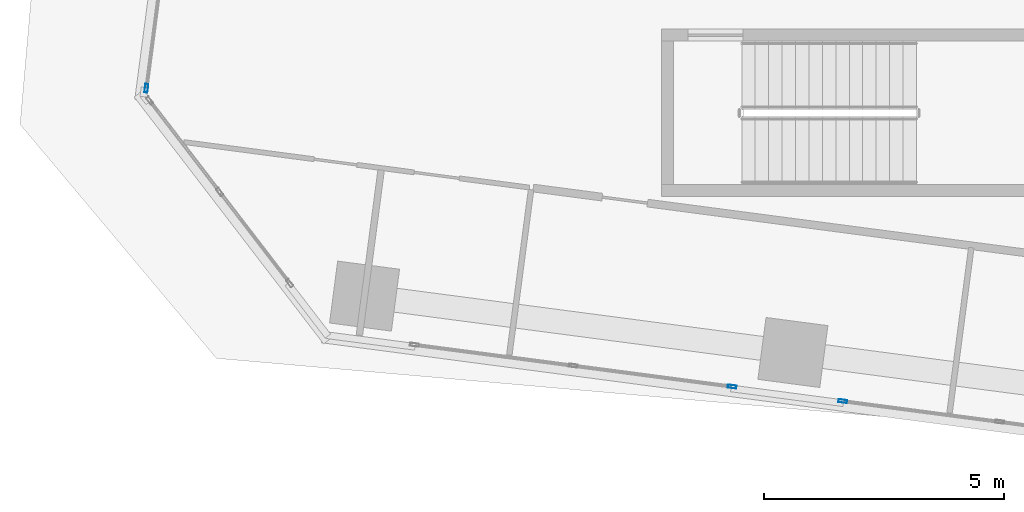
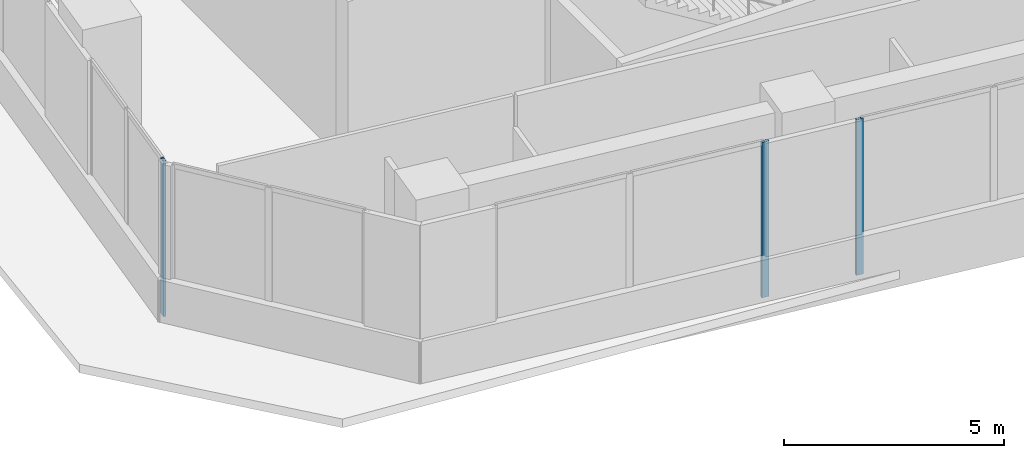
# One storey, part 3 of 24: 3 members, 3 elements without a shape of their own.
"""IFC4 building model written with IfcOpenShell, lengths in metres."""

from ifc_helpers import new_model, si_unit, direction, frame, origin, origin_2d, place, context, subcontext, project, spatial, hollow_rectangle, extrude, source, transform, mapped, material, material_profile, profile_set, type_object, element, aggregate, save


model = new_model("IFC4")

# Units and contexts
model_context = context("Model", 3, precision=1e-05, world=origin(), true_north=direction((0.0, 1.0)))
body_context = subcontext(model_context, "Body", "Model", "MODEL_VIEW")
ifc_project = project(units=[si_unit("LENGTHUNIT", "METRE"), si_unit("AREAUNIT", "SQUARE_METRE"), si_unit("VOLUMEUNIT", "CUBIC_METRE"), si_unit("PLANEANGLEUNIT", "RADIAN"), si_unit("MASSUNIT", "GRAM", prefix="KILO")], contexts=[model_context])

# Site, building, storey
site_placement = place(None, origin())
site = spatial("IfcSite", under=ifc_project, at=site_placement, CompositionType="ELEMENT")
building_placement = place(site_placement, origin())
building = spatial("IfcBuilding", under=site, at=building_placement, Name="Torre Montelarca", CompositionType="ELEMENT")
storey_placement = place(building_placement, frame((0.0, 0.0, 61.60009765625)))
storey = spatial("IfcBuildingStorey", under=building, at=storey_placement, Name="L13", CompositionType="ELEMENT", Elevation=61.60009765625)

# Curtain wall, member
ifc_material_1 = material(Name="Insulated low-E laminated glass", Category="glass")
curtain_wall_type = type_object("IfcCurtainWallType", Name="CW-SYS-Z1", PredefinedType="USERDEFINED", material=ifc_material_1)
curtain_wall_1_placement = place(storey_placement, origin())
curtain_wall_1 = element("IfcCurtainWall", 1, at=curtain_wall_1_placement, inside=storey, type_object=curtain_wall_type, Name="L13 Curtain Wall Run CW-T3-L13-E01-B1", ObjectType="UNITISED GLAZING", PredefinedType="USERDEFINED")
ifc_material_2 = material(Name="Anodised aluminium AA 6063-T6", Category="aluminium")
ifc_material_profile = material_profile(ifc_material_2, hollow_rectangle(XDim=0.06494140625, YDim=0.179931640625, WallThickness=0.00390625, InnerFilletRadius=0.00390625, OuterFilletRadius=0.008056640625, at=origin_2d()), Name="ALU65X180X4", Category="aluminium")
ifc_profile_set = profile_set([ifc_material_profile], Name="Anodised aluminium AA 6063-T6")
member_type = type_object("IfcMemberType", Name="CWM-ALU180", PredefinedType="MULLION", material=ifc_profile_set)
shared_shape = source(origin(), body_context, "Body", "SweptSolid", [
    extrude(hollow_rectangle(XDim=0.06494140625, YDim=0.179931640625, WallThickness=0.00390625, InnerFilletRadius=0.00390625, OuterFilletRadius=0.008056640625, at=origin_2d()), origin(), (0.0, 0.0, 1.0), 4.31982421875),
])
member_1_placement = place(storey_placement, frame((14.518798828125, 14.693115234375, 0.0), z_axis=(0.0, 0.0, 1.0), x_axis=(0.130520142055, 0.991445657874, 0.0)))
member_1 = element("IfcMember", 2, at=member_1_placement, type_object=member_type, Name="CW mullion 3", PredefinedType="MULLION", context=body_context, shape_type="MappedRepresentation", body=[
    mapped(shared_shape, transform((0.0, 0.0, 0.0), scale=1.0)),
])
aggregate(curtain_wall_1, [member_1])

curtain_wall_2_placement = place(storey_placement, origin())
curtain_wall_2 = element("IfcCurtainWall", 3, at=curtain_wall_2_placement, inside=storey, type_object=curtain_wall_type, Name="L13 Curtain Wall Run CW-T3-L13-E01-B2", ObjectType="UNITISED GLAZING", PredefinedType="USERDEFINED")
member_2_placement = place(storey_placement, frame((16.823974609375, 14.3896484375, 0.0), z_axis=(0.0, 0.0, 1.0), x_axis=(0.130517387, 0.991446020563, 0.0)))
member_2 = element("IfcMember", 4, at=member_2_placement, type_object=member_type, Name="CW mullion 1", PredefinedType="MULLION", context=body_context, shape_type="MappedRepresentation", body=[
    mapped(shared_shape, transform((0.0, 0.0, 0.0), scale=1.0)),
])
aggregate(curtain_wall_2, [member_2])

curtain_wall_3_placement = place(storey_placement, origin())
curtain_wall_3 = element("IfcCurtainWall", 5, at=curtain_wall_3_placement, inside=storey, type_object=curtain_wall_type, Name="L13 Curtain Wall Run CW-T3-L13-E10-B3", ObjectType="UNITISED GLAZING", PredefinedType="USERDEFINED")
member_3_placement = place(storey_placement, frame((2.318115234375, 20.9072265625, 0.0), z_axis=(0.0, 0.0, 1.0), x_axis=(0.991447218206, -0.130508289054, 0.0)))
member_3 = element("IfcMember", 6, at=member_3_placement, type_object=member_type, Name="CW mullion 3", PredefinedType="MULLION", context=body_context, shape_type="MappedRepresentation", body=[
    mapped(shared_shape, transform((0.0, 0.0, 0.0), scale=1.0)),
])
aggregate(curtain_wall_3, [member_3])

save(model, "model.ifc")
